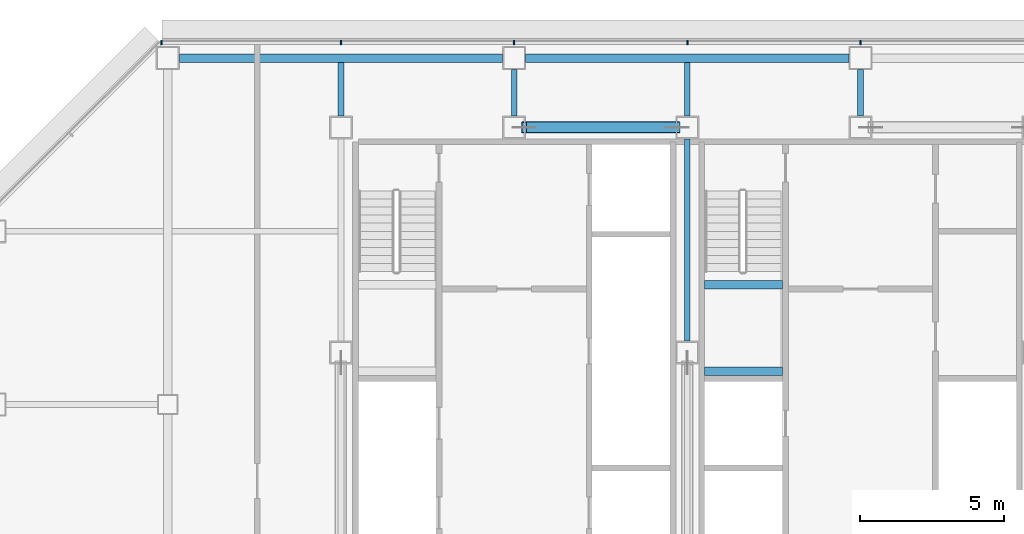
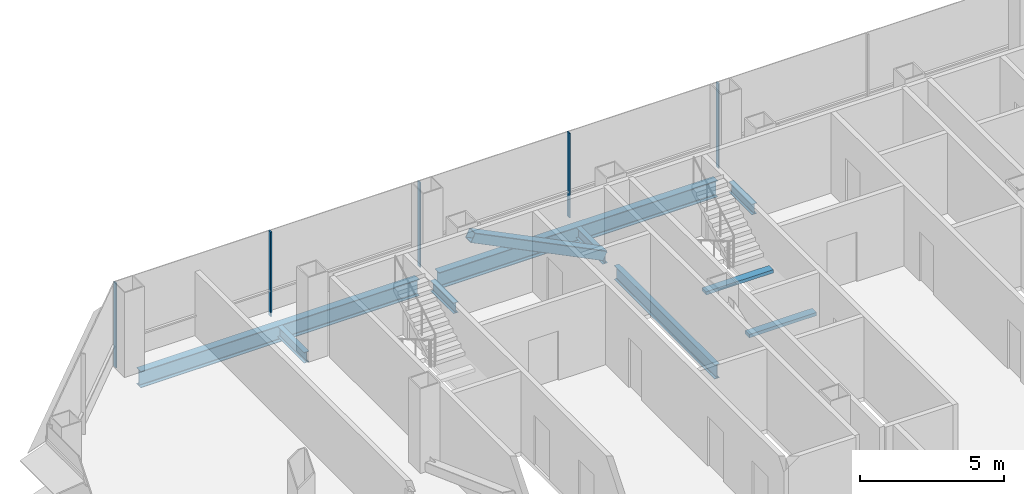
# One storey, part 12 of 25: 9 beams, 6 members, 1 element without a shape of its own.
"""IFC4 building model written with IfcOpenShell, lengths in metres."""

from ifc_helpers import new_model, si_unit, direction, frame, origin, origin_2d, place, context, subcontext, project, spatial, rectangle, hollow_rectangle, i_section, extrude, material, material_profile, profile_set, type_object, element, aggregate, save


model = new_model("IFC4")

# Units and contexts
model_context = context("Model", 3, precision=1e-05, world=origin(), true_north=direction((0.0, 1.0)))
body_context = subcontext(model_context, "Body", "Model", "MODEL_VIEW")
ifc_project = project(units=[si_unit("LENGTHUNIT", "METRE"), si_unit("AREAUNIT", "SQUARE_METRE"), si_unit("VOLUMEUNIT", "CUBIC_METRE"), si_unit("PLANEANGLEUNIT", "RADIAN"), si_unit("MASSUNIT", "GRAM", prefix="KILO")], contexts=[model_context])

# Site, building, storey
site_placement = place(None, origin())
site = spatial("IfcSite", under=ifc_project, at=site_placement, CompositionType="ELEMENT")
building_placement = place(site_placement, origin())
building = spatial("IfcBuilding", under=site, at=building_placement, Name="Sorahane Residences", CompositionType="ELEMENT")
storey_placement = place(building_placement, frame((0.0, 0.0, 123.199951171875)))
storey = spatial("IfcBuildingStorey", under=building, at=storey_placement, Name="L27", CompositionType="ELEMENT", Elevation=123.199951171875)

# Member
ifc_material_1 = material(Name="Steel Q355B", Category="steel")
ifc_material_profile_1 = material_profile(ifc_material_1, hollow_rectangle(XDim=0.39990234375, YDim=0.39990234375, WallThickness=0.02001953125, InnerFilletRadius=0.010009765625, OuterFilletRadius=0.030029296875, at=origin_2d()), Name="RHS 400x400x20")
ifc_profile_set_1 = profile_set([ifc_material_profile_1], Name="Steel Q355B")
member_type_1 = type_object("IfcMemberType", Name="Core brace RHS 400x400x20 Q355B", PredefinedType="BRACE", material=ifc_profile_set_1)
member_1_placement = place(storey_placement, frame((17.653076171875, 45.60009765625, 0.173828125), z_axis=(-0.896480070819, 0.0, 0.443084058192), x_axis=(0.0, -1.0, 0.0)))
element("IfcMember", 1, at=member_1_placement, inside=storey, type_object=member_type_1, Name="Core brace L27 y45.6-2", PredefinedType="BRACE", context=body_context, shape_type="SweptSolid", body=[
    extrude(hollow_rectangle(XDim=0.39990234375, YDim=0.39990234375, WallThickness=0.02001953125, InnerFilletRadius=0.010009765625, OuterFilletRadius=0.030029296875, at=origin_2d()), origin(), (0.0, 0.0, 1.0), 5.9189453125),
])

# Curtain wall, members
ifc_material_2 = material(Name="Dark low-e glass and black anodised aluminium", Category="aluminium")
curtain_wall_type = type_object("IfcCurtainWallType", Name="Curtain wall CW-1 Typical unitised wall", PredefinedType="NOTDEFINED", material=ifc_material_2)
curtain_wall_placement = place(storey_placement, origin())
curtain_wall = element("IfcCurtainWall", 2, at=curtain_wall_placement, inside=storey, type_object=curtain_wall_type, Name="CW-1 curtain wall L27 N1", PredefinedType="NOTDEFINED")
ifc_material_3 = material(Name="Black anodised aluminium", Category="aluminium")
ifc_material_profile_2 = material_profile(ifc_material_3, rectangle(XDim=0.159912109375, YDim=0.050048828125, at=origin_2d()), Name="Curtain wall mullion CW-1 black anodised aluminium 50x160")
ifc_profile_set_2 = profile_set([ifc_material_profile_2], Name="Black anodised aluminium")
member_type_2 = type_object("IfcMemberType", Name="Curtain wall mullion CW-1 black anodised aluminium 50x160", PredefinedType="MULLION", material=ifc_profile_set_2)
member_2_placement = place(storey_placement, frame((24.0, 48.5400390625, -0.179931640625), z_axis=(0.0, 0.0, 1.0), x_axis=(0.0, 1.0, 0.0)))
member_2 = element("IfcMember", 3, at=member_2_placement, type_object=member_type_2, Name="CW-1 mullion L27 N1.6", PredefinedType="MULLION", context=body_context, shape_type="SweptSolid", body=[
    extrude(rectangle(XDim=0.159912109375, YDim=0.050048828125, at=origin_2d()), origin(), (0.0, 0.0, 1.0), 3.60009765625),
])
member_3_placement = place(storey_placement, frame((18.0, 48.5400390625, -0.179931640625), z_axis=(0.0, 0.0, 1.0), x_axis=(0.0, 1.0, 0.0)))
member_3 = element("IfcMember", 4, at=member_3_placement, type_object=member_type_2, Name="CW-1 mullion L27 N1.7", PredefinedType="MULLION", context=body_context, shape_type="SweptSolid", body=[
    extrude(rectangle(XDim=0.159912109375, YDim=0.050048828125, at=origin_2d()), origin(), (0.0, 0.0, 1.0), 3.60009765625),
])
member_4_placement = place(storey_placement, frame((12.0, 48.5400390625, -0.179931640625), z_axis=(0.0, 0.0, 1.0), x_axis=(0.0, 1.0, 0.0)))
member_4 = element("IfcMember", 5, at=member_4_placement, type_object=member_type_2, Name="CW-1 mullion L27 N1.8", PredefinedType="MULLION", context=body_context, shape_type="SweptSolid", body=[
    extrude(rectangle(XDim=0.159912109375, YDim=0.050048828125, at=origin_2d()), origin(), (0.0, 0.0, 1.0), 3.60009765625),
])
member_5_placement = place(storey_placement, frame((6.0, 48.5400390625, -0.179931640625), z_axis=(0.0, 0.0, 1.0), x_axis=(0.0, 1.0, 0.0)))
member_5 = element("IfcMember", 6, at=member_5_placement, type_object=member_type_2, Name="CW-1 mullion L27 N1.9", PredefinedType="MULLION", context=body_context, shape_type="SweptSolid", body=[
    extrude(rectangle(XDim=0.159912109375, YDim=0.050048828125, at=origin_2d()), origin(), (0.0, 0.0, 1.0), 3.60009765625),
])
member_6_placement = place(storey_placement, frame((-0.2236328125, 48.5400390625, -0.179931640625), z_axis=(0.0, 0.0, 1.0), x_axis=(0.0, 1.0, 0.0)))
member_6 = element("IfcMember", 7, at=member_6_placement, type_object=member_type_2, Name="CW-1 mullion L27 N1.10", PredefinedType="MULLION", context=body_context, shape_type="SweptSolid", body=[
    extrude(rectangle(XDim=0.159912109375, YDim=0.050048828125, at=origin_2d()), origin(), (0.0, 0.0, 1.0), 3.60009765625),
])
aggregate(curtain_wall, [member_2, member_3, member_4, member_5, member_6])

# Beams
ifc_material_4 = material(Name="Concrete C40", Category="concrete")
ifc_material_profile_3 = material_profile(ifc_material_4, rectangle(XDim=0.300048828125, YDim=0.139892578125, at=origin_2d()), Name="300x140")
ifc_profile_set_3 = profile_set([ifc_material_profile_3], Name="Concrete C40")
beam_type_1 = type_object("IfcBeamType", Name="RC landing beam 300 x 140 Concrete C40", PredefinedType="BEAM", material=ifc_profile_set_3)
for number, where, z_axis, x_axis, name in (
    (8, (18.60009765625, 37.14990234375, 1.530029296875), (1.0, 0.0, 0.0), (0.0, 1.0, 0.0), "Landing beam"),
    (9, (18.60009765625, 40.14990234375, 1.530029296875), (1.0, 0.0, 0.0), (0.0, 1.0, 0.0), "Landing beam"),
):
    element("IfcBeam", number, at=place(storey_placement, frame(where, z_axis=z_axis, x_axis=x_axis)), inside=storey, type_object=beam_type_1, Name=name, PredefinedType="BEAM", context=body_context, shape_type="SweptSolid", body=[
        extrude(rectangle(XDim=0.300048828125, YDim=0.139892578125, at=origin_2d()), origin(), (0.0, 0.0, 1.0), 2.699951171875),
    ])
ifc_material_5 = material(Name="Steel Q355B", Category="steel")
ifc_material_profile_4 = material_profile(ifc_material_5, i_section(OverallWidth=0.199951171875, OverallDepth=0.449951171875, WebThickness=0.009033203125, FlangeThickness=0.013916015625, FilletRadius=0.02001953125, at=origin_2d()), Name="HN 450x200x9x14")
ifc_profile_set_4 = profile_set([ifc_material_profile_4], Name="Steel Q355B")
beam_type_2 = type_object("IfcBeamType", Name="Steel floor beam HN 450x200x9x14 Q355B", PredefinedType="BEAM", material=ifc_profile_set_4)
beam_1_placement = place(storey_placement, frame((6.0, 46.0, -0.405029296875), z_axis=(0.0, 1.0, 0.0), x_axis=(-1.0, 0.0, 0.0)))
element("IfcBeam", 10, at=beam_1_placement, inside=storey, type_object=beam_type_2, Name="Beam L27 033", PredefinedType="BEAM", context=body_context, shape_type="SweptSolid", body=[
    extrude(i_section(OverallWidth=0.199951171875, OverallDepth=0.449951171875, WebThickness=0.009033203125, FlangeThickness=0.013916015625, FilletRadius=0.02001953125, at=origin_2d()), origin(), (0.0, 0.0, 1.0), 1.85009765625),
])
beam_2_placement = place(storey_placement, frame((12.0, 46.0, -0.405029296875), z_axis=(0.0, 1.0, 0.0), x_axis=(-1.0, 0.0, 0.0)))
element("IfcBeam", 11, at=beam_2_placement, inside=storey, type_object=beam_type_2, Name="Beam L27 035", PredefinedType="BEAM", context=body_context, shape_type="SweptSolid", body=[
    extrude(i_section(OverallWidth=0.199951171875, OverallDepth=0.449951171875, WebThickness=0.009033203125, FlangeThickness=0.013916015625, FilletRadius=0.02001953125, at=origin_2d()), origin(), (0.0, 0.0, 1.0), 1.60009765625),
])
beam_3_placement = place(storey_placement, frame((18.0, 46.0, -0.405029296875), z_axis=(0.0, 1.0, 0.0), x_axis=(-1.0, 0.0, 0.0)))
element("IfcBeam", 12, at=beam_3_placement, inside=storey, type_object=beam_type_2, Name="Beam L27 041", PredefinedType="BEAM", context=body_context, shape_type="SweptSolid", body=[
    extrude(i_section(OverallWidth=0.199951171875, OverallDepth=0.449951171875, WebThickness=0.009033203125, FlangeThickness=0.013916015625, FilletRadius=0.02001953125, at=origin_2d()), origin(), (0.0, 0.0, 1.0), 1.85009765625),
])
beam_4_placement = place(storey_placement, frame((24.0, 46.0, -0.405029296875), z_axis=(0.0, 1.0, 0.0), x_axis=(-1.0, 0.0, 0.0)))
element("IfcBeam", 13, at=beam_4_placement, inside=storey, type_object=beam_type_2, Name="Beam L27 043", PredefinedType="BEAM", context=body_context, shape_type="SweptSolid", body=[
    extrude(i_section(OverallWidth=0.199951171875, OverallDepth=0.449951171875, WebThickness=0.009033203125, FlangeThickness=0.013916015625, FilletRadius=0.02001953125, at=origin_2d()), origin(), (0.0, 0.0, 1.0), 1.60009765625),
])
ifc_material_6 = material(Name="Steel Q355B", Category="steel")
ifc_material_profile_5 = material_profile(ifc_material_6, i_section(OverallWidth=0.199951171875, OverallDepth=0.60009765625, WebThickness=0.010986328125, FlangeThickness=0.01708984375, FilletRadius=0.02392578125, at=origin_2d()), Name="HN 600x200x11x17")
ifc_profile_set_5 = profile_set([ifc_material_profile_5], Name="Steel Q355B")
beam_type_3 = type_object("IfcBeamType", Name="Steel floor beam HN 600x200x11x17 Q355B", PredefinedType="BEAM", material=ifc_profile_set_5)
beam_5_placement = place(storey_placement, frame((18.0, 38.199951171875, -0.47998046875), z_axis=(0.0, 1.0, 0.0), x_axis=(-1.0, 0.0, 0.0)))
element("IfcBeam", 14, at=beam_5_placement, inside=storey, type_object=beam_type_3, Name="Beam L27 040", PredefinedType="BEAM", context=body_context, shape_type="SweptSolid", body=[
    extrude(i_section(OverallWidth=0.199951171875, OverallDepth=0.60009765625, WebThickness=0.010986328125, FlangeThickness=0.01708984375, FilletRadius=0.02392578125, at=origin_2d()), origin(), (0.0, 0.0, 1.0), 7.0),
])
ifc_material_7 = material(Name="Steel Q355B", Category="steel")
ifc_material_profile_6 = material_profile(ifc_material_7, i_section(OverallWidth=0.300048828125, OverallDepth=0.699951171875, WebThickness=0.012939453125, FlangeThickness=0.02392578125, FilletRadius=0.028076171875, at=origin_2d()), Name="HN 700x300x13x24")
ifc_profile_set_6 = profile_set([ifc_material_profile_6], Name="Steel Q355B")
beam_type_4 = type_object("IfcBeamType", Name="Steel floor beam HN 700x300x13x24 Q355B", PredefinedType="BEAM", material=ifc_profile_set_6)
for number, where, z_axis, x_axis, name in (
    (15, (0.39990234375, 48.0, -0.530029296875), (1.0, 0.0, 0.0), (0.0, 1.0, 0.0), "Beam L27 015"),
    (16, (12.39990234375, 48.0, -0.530029296875), (1.0, 0.0, 0.0), (0.0, 1.0, 0.0), "Beam L27 016"),
):
    element("IfcBeam", number, at=place(storey_placement, frame(where, z_axis=z_axis, x_axis=x_axis)), inside=storey, type_object=beam_type_4, Name=name, PredefinedType="BEAM", context=body_context, shape_type="SweptSolid", body=[
        extrude(i_section(OverallWidth=0.300048828125, OverallDepth=0.699951171875, WebThickness=0.012939453125, FlangeThickness=0.02392578125, FilletRadius=0.028076171875, at=origin_2d()), origin(), (0.0, 0.0, 1.0), 11.2001953125),
    ])

save(model, "model.ifc")
